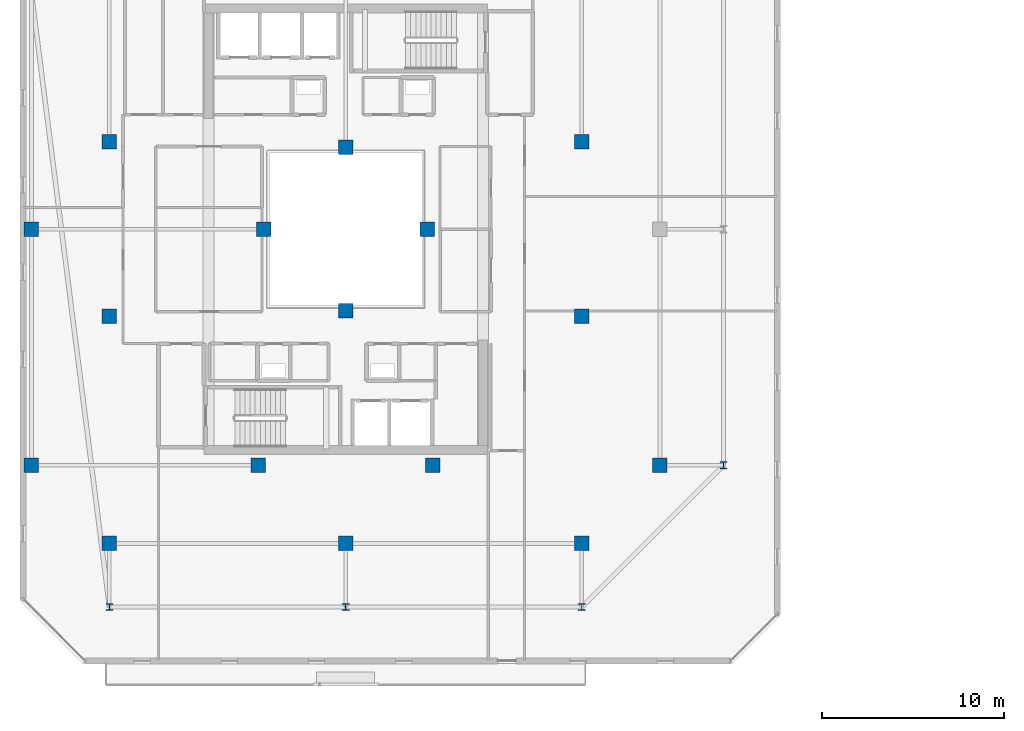
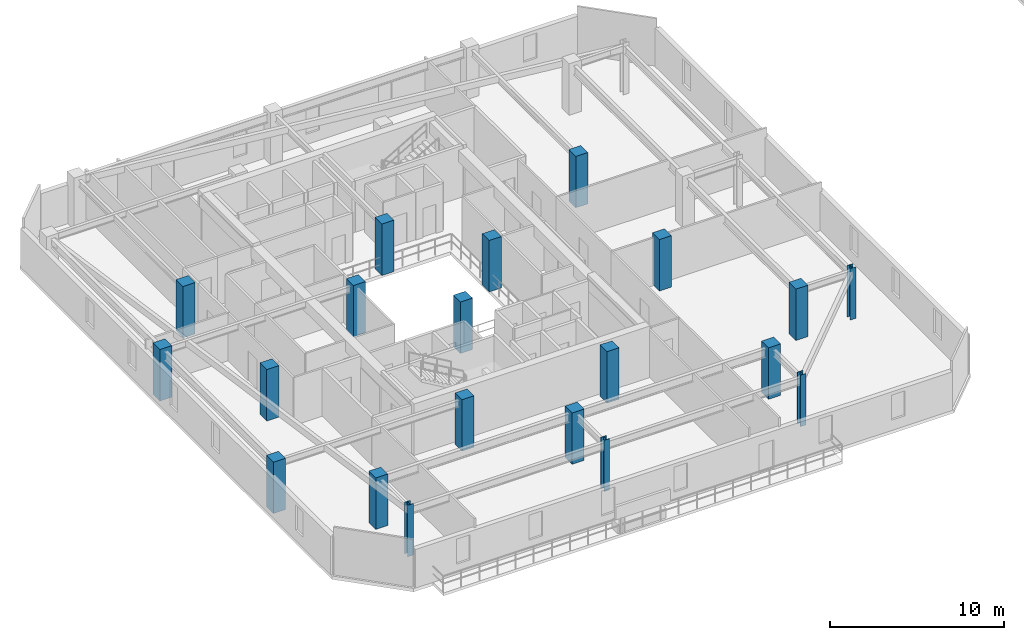
# One storey, part 1 of 35: 20 columns.
"""IFC4 building model written with IfcOpenShell, lengths in metres."""

from ifc_helpers import new_model, si_unit, direction, frame, origin, origin_2d, place, context, subcontext, project, spatial, rectangle, i_section, extrude, material, material_profile, profile_set, type_object, element, save


model = new_model("IFC4")

# Units and contexts
model_context = context("Model", 3, precision=1e-05, world=origin(), true_north=direction((0.0, 1.0)))
body_context = subcontext(model_context, "Body", "Model", "MODEL_VIEW")
ifc_project = project(units=[si_unit("LENGTHUNIT", "METRE"), si_unit("AREAUNIT", "SQUARE_METRE"), si_unit("VOLUMEUNIT", "CUBIC_METRE"), si_unit("PLANEANGLEUNIT", "RADIAN"), si_unit("MASSUNIT", "GRAM", prefix="KILO")], contexts=[model_context])

# Site, building, storey
site_placement = place(None, origin())
site = spatial("IfcSite", under=ifc_project, at=site_placement, CompositionType="ELEMENT")
building_placement = place(site_placement, origin())
building = spatial("IfcBuilding", under=site, at=building_placement, Name="Thornwick Lancets Civic Towers", CompositionType="ELEMENT")
storey_placement = place(building_placement, frame((0.0, 0.0, 265.5)))
storey = spatial("IfcBuildingStorey", under=building, at=storey_placement, Name="L71", CompositionType="ELEMENT", Elevation=265.5)

# Columns
ifc_material_1 = material(Name="Concrete C50/60", Category="concrete")
ifc_material_profile_1 = material_profile(ifc_material_1, rectangle(XDim=0.800048828125, YDim=0.800048828125, at=origin_2d()), Name="RC 800x800")
ifc_profile_set_1 = profile_set([ifc_material_profile_1], Name="Concrete C50/60")
column_type_1 = type_object("IfcColumnType", Name="COL_RC_800", PredefinedType="COLUMN", material=ifc_profile_set_1)
for number, where, z_axis, x_axis, name in (
    (1, (12.5, 9.699951171875, 0.0), (0.0, 0.0, 1.0), (1.0, 0.0, 0.0), "L71 Spine Mega-Column A01"),
    (2, (25.5, 9.699951171875, 0.0), (0.0, 0.0, 1.0), (1.0, 0.0, 0.0), "L71 Spine Mega-Column A02"),
    (3, (38.5, 9.699951171875, 0.0), (0.0, 0.0, 1.0), (1.0, 0.0, 0.0), "L71 Spine Mega-Column A03"),
    (4, (42.800048828125, 14.0, 0.0), (0.0, 0.0, 1.0), (1.0, 0.0, 0.0), "L71 Spine Mega-Column A04"),
    (5, (8.199951171875, 14.0, 0.0), (0.0, 0.0, 1.0), (1.0, 0.0, 0.0), "L71 Spine Mega-Column A10"),
    (6, (8.199951171875, 27.0, 0.0), (0.0, 0.0, 1.0), (1.0, 0.0, 0.0), "L71 Spine Mega-Column A11"),
    (7, (12.5, 22.199951171875, 0.0), (0.0, 0.0, 1.0), (1.0, 0.0, 0.0), "L71 Spine Mega-Column A13"),
    (8, (38.5, 22.199951171875, 0.0), (0.0, 0.0, 1.0), (1.0, 0.0, 0.0), "L71 Spine Mega-Column A14"),
    (9, (12.5, 31.800048828125, 0.0), (0.0, 0.0, 1.0), (1.0, 0.0, 0.0), "L71 Spine Mega-Column A15"),
    (10, (38.5, 31.800048828125, 0.0), (0.0, 0.0, 1.0), (1.0, 0.0, 0.0), "L71 Spine Mega-Column A16"),
    (11, (20.699951171875, 14.0, 0.0), (0.0, 0.0, 1.0), (1.0, 0.0, 0.0), "L71 Spine Mega-Column A17"),
    (12, (30.300048828125, 14.0, 0.0), (0.0, 0.0, 1.0), (1.0, 0.0, 0.0), "L71 Spine Mega-Column A18"),
    (13, (25.5, 22.5, 0.0), (0.0, 0.0, 1.0), (1.0, 0.0, 0.0), "L71 Spine Mega-Column A21"),
    (14, (25.5, 31.5, 0.0), (0.0, 0.0, 1.0), (1.0, 0.0, 0.0), "L71 Spine Mega-Column A22"),
    (15, (21.0, 27.0, 0.0), (0.0, 0.0, 1.0), (1.0, 0.0, 0.0), "L71 Spine Mega-Column A23"),
    (16, (30.0, 27.0, 0.0), (0.0, 0.0, 1.0), (1.0, 0.0, 0.0), "L71 Spine Mega-Column A24"),
):
    element("IfcColumn", number, at=place(storey_placement, frame(where, z_axis=z_axis, x_axis=x_axis)), inside=storey, type_object=column_type_1, Name=name, PredefinedType="COLUMN", context=body_context, shape_type="SweptSolid", body=[
        extrude(rectangle(XDim=0.800048828125, YDim=0.800048828125, at=origin_2d()), origin(), (0.0, 0.0, 1.0), 3.60009765625),
    ])
ifc_material_2 = material(Name="Steel S355JR", Category="steel")
ifc_material_profile_2 = material_profile(ifc_material_2, i_section(OverallWidth=0.374755859375, OverallDepth=0.37451171875, WebThickness=0.0166015625, FlangeThickness=0.027099609375, FilletRadius=0.01513671875, at=origin_2d()), Name="UKC 356x368x202")
ifc_profile_set_2 = profile_set([ifc_material_profile_2], Name="Steel S355JR")
column_type_2 = type_object("IfcColumnType", Name="COL_UKC_202", PredefinedType="COLUMN", material=ifc_profile_set_2)
for number, where, z_axis, x_axis, name in (
    (17, (12.5, 6.199951171875, 0.0), (0.0, 0.0, 1.0), (1.0, 0.0, 0.0), "L71 Block Perimeter Column A01"),
    (18, (25.5, 6.199951171875, 0.0), (0.0, 0.0, 1.0), (1.0, 0.0, 0.0), "L71 Block Perimeter Column A02"),
    (19, (38.5, 6.199951171875, 0.0), (0.0, 0.0, 1.0), (1.0, 0.0, 0.0), "L71 Block Perimeter Column A03"),
    (20, (46.300048828125, 14.0, 0.0), (0.0, 0.0, 1.0), (1.0, 0.0, 0.0), "L71 Block Perimeter Column A04"),
):
    element("IfcColumn", number, at=place(storey_placement, frame(where, z_axis=z_axis, x_axis=x_axis)), inside=storey, type_object=column_type_2, Name=name, PredefinedType="COLUMN", context=body_context, shape_type="SweptSolid", body=[
        extrude(i_section(OverallWidth=0.374755859375, OverallDepth=0.37451171875, WebThickness=0.0166015625, FlangeThickness=0.027099609375, FilletRadius=0.01513671875, at=origin_2d()), origin(), (0.0, 0.0, 1.0), 3.60009765625),
    ])

save(model, "model.ifc")
